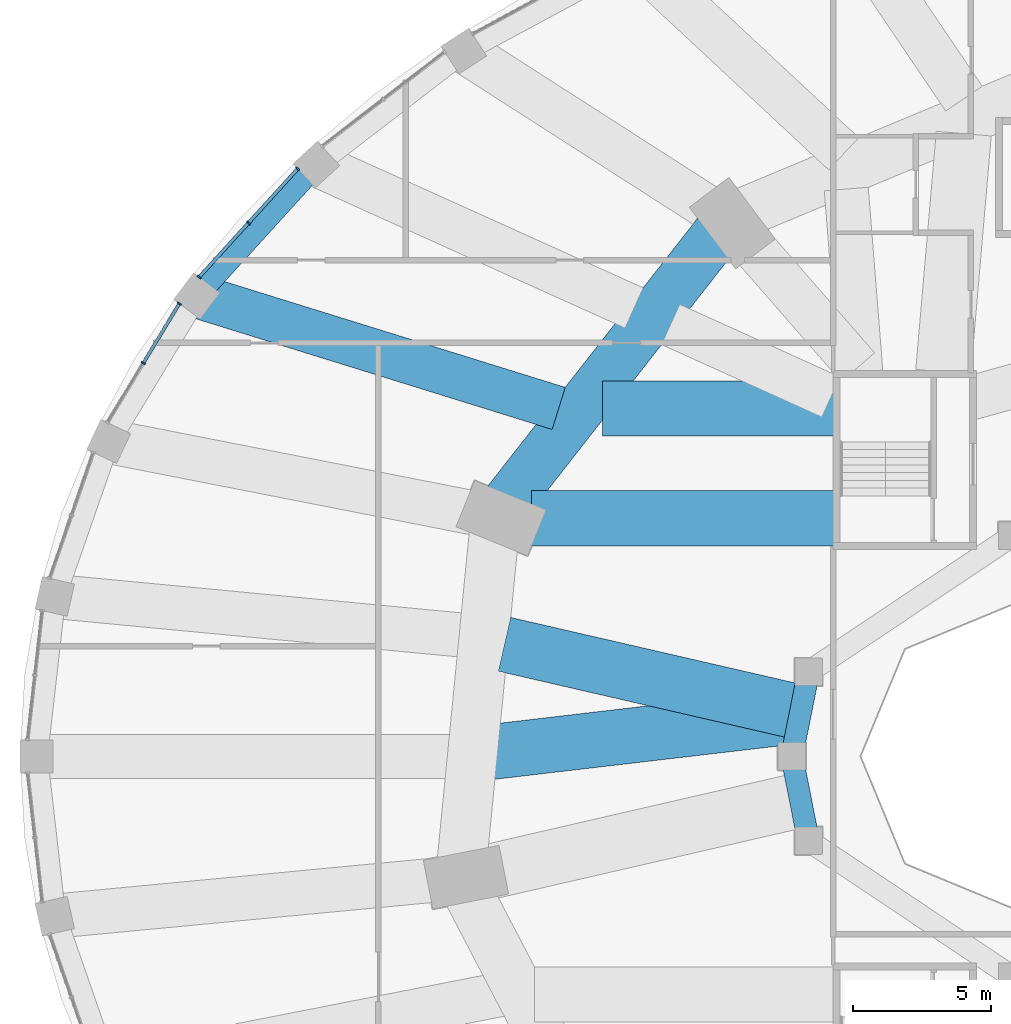
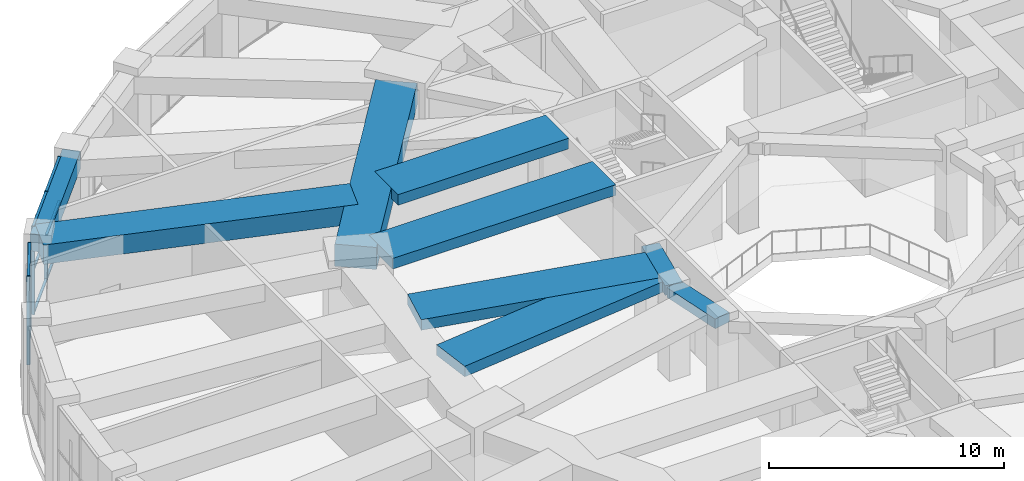
# One storey, part 9 of 32: 14 members, 9 beams, 2 elements without a shape of their own.
"""IFC4 building model written with IfcOpenShell, lengths in metres."""

from ifc_helpers import new_model, si_unit, direction, frame, origin, origin_2d, place, context, subcontext, project, spatial, rectangle, extrude, material, material_profile, profile_set, type_object, element, aggregate, save


model = new_model("IFC4")

# Units and contexts
model_context = context("Model", 3, precision=1e-05, world=origin(), true_north=direction((0.0, 1.0)))
body_context = subcontext(model_context, "Body", "Model", "MODEL_VIEW")
ifc_project = project(units=[si_unit("LENGTHUNIT", "METRE"), si_unit("AREAUNIT", "SQUARE_METRE"), si_unit("VOLUMEUNIT", "CUBIC_METRE"), si_unit("PLANEANGLEUNIT", "RADIAN"), si_unit("MASSUNIT", "GRAM", prefix="KILO")], contexts=[model_context])

# Site, building, storey
site_placement = place(None, origin())
site = spatial("IfcSite", under=ifc_project, at=site_placement, CompositionType="ELEMENT")
building_placement = place(site_placement, origin())
building = spatial("IfcBuilding", under=site, at=building_placement, Name="Taillehof Tower", CompositionType="ELEMENT")
storey_placement = place(building_placement, frame((0.0, 0.0, 7.5)))
storey = spatial("IfcBuildingStorey", under=building, at=storey_placement, Name="L01", CompositionType="ELEMENT", Elevation=7.5)

# Beams
ifc_material_1 = material(Name="Concrete C50/60", Category="concrete")
ifc_material_profile_1 = material_profile(ifc_material_1, rectangle(XDim=0.800048828125, YDim=0.5, at=origin_2d()), Name="RC 800x500")
ifc_profile_set_1 = profile_set([ifc_material_profile_1], Name="Concrete C50/60")
beam_type_1 = type_object("IfcBeamType", Name="Atrium ring beam C50/60 800x500", PredefinedType="BEAM", material=ifc_profile_set_1)
for number, where, z_axis, x_axis, name in (
    (1, (-15.39111328125, 3.0615234375, 4.340087890625), (-0.195063155143, -0.980790683839, 0.0), (0.980790683839, -0.195063155143, 0.0), "Atrium ring beam AB04"),
    (2, (-16.0, 0.0, 4.340087890625), (0.195063155143, -0.980790683839, 0.0), (0.980790683839, 0.195063155143, 0.0), "Atrium ring beam AB05"),
):
    element("IfcBeam", number, at=place(storey_placement, frame(where, z_axis=z_axis, x_axis=x_axis)), inside=storey, type_object=beam_type_1, Name=name, PredefinedType="BEAM", context=body_context, shape_type="SweptSolid", body=[
        extrude(rectangle(XDim=0.800048828125, YDim=0.5, at=origin_2d()), origin(), (0.0, 0.0, 1.0), 3.12158203125),
    ])
ifc_material_2 = material(Name="Concrete C50/60", Category="concrete")
ifc_material_profile_2 = material_profile(ifc_material_2, rectangle(XDim=0.800048828125, YDim=0.89990234375, at=origin_2d()), Name="RC 800x900")
ifc_profile_set_2 = profile_set([ifc_material_profile_2], Name="Concrete C50/60")
beam_type_2 = type_object("IfcBeamType", Name="Podium edge beam C50/60 800x900", PredefinedType="BEAM", material=ifc_profile_set_2)
beam_1_placement = place(storey_placement, frame((-33.246337890625, 21.468994140625, 4.139892578125), z_axis=(-0.67297994181, -0.739660731634, 0.0), x_axis=(0.739660731634, -0.67297994181, 0.0)))
element("IfcBeam", 3, at=beam_1_placement, inside=storey, type_object=beam_type_2, Name="Podium edge beam PB15", PredefinedType="BEAM", context=body_context, shape_type="SweptSolid", body=[
    extrude(rectangle(XDim=0.800048828125, YDim=0.89990234375, at=origin_2d()), origin(), (0.0, 0.0, 1.0), 6.447509765625),
])
ifc_material_3 = material(Name="Concrete C50/60", Category="concrete")
ifc_material_profile_3 = material_profile(ifc_material_3, rectangle(XDim=1.60009765625, YDim=1.0, at=origin_2d()), Name="RC 1600x1000")
ifc_profile_set_3 = profile_set([ifc_material_profile_3], Name="Concrete C50/60")
beam_type_3 = type_object("IfcBeamType", Name="Podium radial beam C50/60 1600x1000", PredefinedType="BEAM", material=ifc_profile_set_3)
beam_2_placement = place(storey_placement, frame((-37.58544921875, 16.699951171875, 4.090087890625), z_axis=(0.954998937437, -0.296609220179, 0.0), x_axis=(0.296609220179, 0.954998937437, 0.0)))
element("IfcBeam", 4, at=beam_2_placement, inside=storey, type_object=beam_type_3, Name="Podium radial beam PR16", PredefinedType="BEAM", context=body_context, shape_type="SweptSolid", body=[
    extrude(rectangle(XDim=1.60009765625, YDim=1.0, at=origin_2d()), origin(), (0.0, 0.0, 1.0), 13.748291015625),
])

# Curtain wall, members
ifc_material_4 = material(Name="Aluminium curtain wall with Clear low-emissivity double glazing", Category="aluminium")
curtain_wall_type = type_object("IfcCurtainWallType", Name="Podium window wall curtain wall", PredefinedType="USERDEFINED", material=ifc_material_4)
curtain_wall_1_placement = place(storey_placement, origin())
curtain_wall_1 = element("IfcCurtainWall", 5, at=curtain_wall_1_placement, inside=storey, type_object=curtain_wall_type, Name="Podium window wall L01 bay 15", ObjectType="WINDOW WALL", PredefinedType="USERDEFINED")
ifc_material_5 = material(Name="Aluminium mullion", Category="aluminium")
ifc_material_profile_4 = material_profile(ifc_material_5, rectangle(XDim=0.159912109375, YDim=0.06005859375, at=origin_2d()), Name="AL 60x160")
ifc_profile_set_4 = profile_set([ifc_material_profile_4], Name="Aluminium mullion")
member_type_1 = type_object("IfcMemberType", Name="Podium window wall mullion 60x160", PredefinedType="MULLION", material=ifc_profile_set_4)
member_1_placement = place(storey_placement, frame((-33.922119140625, 21.317138671875, 0.0), z_axis=(0.0, 0.0, 1.0), x_axis=(0.739707112587, -0.672928961769, 0.0)))
member_1 = element("IfcMember", 6, at=member_1_placement, type_object=member_type_1, Name="CT215 mullion 1", PredefinedType="MULLION", context=body_context, shape_type="SweptSolid", body=[
    extrude(rectangle(XDim=0.159912109375, YDim=0.06005859375, at=origin_2d()), origin(), (0.0, 0.0, 1.0), 4.590087890625),
])
member_2_placement = place(storey_placement, frame((-35.7109375, 19.35107421875, 0.0), z_axis=(0.0, 0.0, 1.0), x_axis=(0.739707112587, -0.672928961769, 0.0)))
member_2 = element("IfcMember", 7, at=member_2_placement, type_object=member_type_1, Name="CT215 mullion 2", PredefinedType="MULLION", context=body_context, shape_type="SweptSolid", body=[
    extrude(rectangle(XDim=0.159912109375, YDim=0.06005859375, at=origin_2d()), origin(), (0.0, 0.0, 1.0), 4.590087890625),
])
member_3_placement = place(storey_placement, frame((-37.49951171875, 17.384765625, 0.0), z_axis=(0.0, 0.0, 1.0), x_axis=(0.739707112587, -0.672928961769, 0.0)))
member_3 = element("IfcMember", 8, at=member_3_placement, type_object=member_type_1, Name="CT215 mullion 3", PredefinedType="MULLION", context=body_context, shape_type="SweptSolid", body=[
    extrude(rectangle(XDim=0.159912109375, YDim=0.06005859375, at=origin_2d()), origin(), (0.0, 0.0, 1.0), 4.590087890625),
])

curtain_wall_2_placement = place(storey_placement, origin())
curtain_wall_2 = element("IfcCurtainWall", 9, at=curtain_wall_2_placement, inside=storey, type_object=curtain_wall_type, Name="Podium window wall L01 bay 16", ObjectType="WINDOW WALL", PredefinedType="USERDEFINED")
member_4_placement = place(storey_placement, frame((-38.217529296875, 16.42333984375, 0.0), z_axis=(0.0, 0.0, 1.0), x_axis=(0.855288863309, -0.518151483931, 0.0)))
member_4 = element("IfcMember", 10, at=member_4_placement, type_object=member_type_1, Name="CT216 mullion 1", PredefinedType="MULLION", context=body_context, shape_type="SweptSolid", body=[
    extrude(rectangle(XDim=0.159912109375, YDim=0.06005859375, at=origin_2d()), origin(), (0.0, 0.0, 1.0), 4.590087890625),
])
member_5_placement = place(storey_placement, frame((-39.524169921875, 14.266357421875, 0.0), z_axis=(0.0, 0.0, 1.0), x_axis=(0.855288863309, -0.518151483931, 0.0)))
member_5 = element("IfcMember", 11, at=member_5_placement, type_object=member_type_1, Name="CT216 mullion 2", PredefinedType="MULLION", context=body_context, shape_type="SweptSolid", body=[
    extrude(rectangle(XDim=0.159912109375, YDim=0.06005859375, at=origin_2d()), origin(), (0.0, 0.0, 1.0), 4.590087890625),
])

# Member
ifc_material_6 = material(Name="Aluminium transom", Category="aluminium")
ifc_material_profile_5 = material_profile(ifc_material_6, rectangle(XDim=0.1201171875, YDim=0.06005859375, at=origin_2d()), Name="AL 120x60")
ifc_profile_set_5 = profile_set([ifc_material_profile_5], Name="Aluminium transom")
member_type_2 = type_object("IfcMemberType", Name="Podium window wall transom 120x60", PredefinedType="USERDEFINED", material=ifc_profile_set_5)
member_6_placement = place(storey_placement, frame((-33.9423828125, 21.294921875, 0.030029296875), z_axis=(-0.672958072108, -0.73968062918, 0.0), x_axis=(0.73968062918, -0.672958072108, 0.0)))
member_6 = element("IfcMember", 12, at=member_6_placement, type_object=member_type_2, Name="CT215 transom 1.1", ObjectType="TRANSOM", PredefinedType="USERDEFINED", context=body_context, shape_type="SweptSolid", body=[
    extrude(rectangle(XDim=0.1201171875, YDim=0.06005859375, at=origin_2d()), origin(), (0.0, 0.0, 1.0), 2.597900390625),
])

member_7_placement = place(storey_placement, frame((-33.9423828125, 21.294921875, 2.294921875), z_axis=(-0.672958072108, -0.73968062918, 0.0), x_axis=(0.73968062918, -0.672958072108, 0.0)))
member_7 = element("IfcMember", 13, at=member_7_placement, type_object=member_type_2, Name="CT215 transom 1.2", ObjectType="TRANSOM", PredefinedType="USERDEFINED", context=body_context, shape_type="SweptSolid", body=[
    extrude(rectangle(XDim=0.1201171875, YDim=0.06005859375, at=origin_2d()), origin(), (0.0, 0.0, 1.0), 2.597900390625),
])

member_8_placement = place(storey_placement, frame((-33.9423828125, 21.294921875, 4.56005859375), z_axis=(-0.672958072108, -0.73968062918, 0.0), x_axis=(0.73968062918, -0.672958072108, 0.0)))
member_8 = element("IfcMember", 14, at=member_8_placement, type_object=member_type_2, Name="CT215 transom 1.3", ObjectType="TRANSOM", PredefinedType="USERDEFINED", context=body_context, shape_type="SweptSolid", body=[
    extrude(rectangle(XDim=0.1201171875, YDim=0.06005859375, at=origin_2d()), origin(), (0.0, 0.0, 1.0), 2.597900390625),
])

member_9_placement = place(storey_placement, frame((-35.73095703125, 19.328857421875, 0.030029296875), z_axis=(-0.672911295482, -0.739723183639, 0.0), x_axis=(0.739723183639, -0.672911295482, 0.0)))
member_9 = element("IfcMember", 15, at=member_9_placement, type_object=member_type_2, Name="CT215 transom 2.1", ObjectType="TRANSOM", PredefinedType="USERDEFINED", context=body_context, shape_type="SweptSolid", body=[
    extrude(rectangle(XDim=0.1201171875, YDim=0.06005859375, at=origin_2d()), origin(), (0.0, 0.0, 1.0), 2.59814453125),
])

member_10_placement = place(storey_placement, frame((-35.73095703125, 19.328857421875, 2.294921875), z_axis=(-0.672911295482, -0.739723183639, 0.0), x_axis=(0.739723183639, -0.672911295482, 0.0)))
member_10 = element("IfcMember", 16, at=member_10_placement, type_object=member_type_2, Name="CT215 transom 2.2", ObjectType="TRANSOM", PredefinedType="USERDEFINED", context=body_context, shape_type="SweptSolid", body=[
    extrude(rectangle(XDim=0.1201171875, YDim=0.06005859375, at=origin_2d()), origin(), (0.0, 0.0, 1.0), 2.59814453125),
])

member_11_placement = place(storey_placement, frame((-35.73095703125, 19.328857421875, 4.56005859375), z_axis=(-0.672911295482, -0.739723183639, 0.0), x_axis=(0.739723183639, -0.672911295482, 0.0)))
member_11 = element("IfcMember", 17, at=member_11_placement, type_object=member_type_2, Name="CT215 transom 2.3", ObjectType="TRANSOM", PredefinedType="USERDEFINED", context=body_context, shape_type="SweptSolid", body=[
    extrude(rectangle(XDim=0.1201171875, YDim=0.06005859375, at=origin_2d()), origin(), (0.0, 0.0, 1.0), 2.59814453125),
])

aggregate(curtain_wall_1, [member_1, member_2, member_3, member_6, member_7, member_8, member_9, member_10, member_11])

member_12_placement = place(storey_placement, frame((-38.233154296875, 16.397705078125, 0.030029296875), z_axis=(-0.518136875535, -0.855297713203, 0.0), x_axis=(0.855297713203, -0.518136875535, 0.0)))
member_12 = element("IfcMember", 18, at=member_12_placement, type_object=member_type_2, Name="CT216 transom 1.1", ObjectType="TRANSOM", PredefinedType="USERDEFINED", context=body_context, shape_type="SweptSolid", body=[
    extrude(rectangle(XDim=0.1201171875, YDim=0.06005859375, at=origin_2d()), origin(), (0.0, 0.0, 1.0), 2.4619140625),
])

member_13_placement = place(storey_placement, frame((-38.233154296875, 16.397705078125, 2.294921875), z_axis=(-0.518136875535, -0.855297713203, 0.0), x_axis=(0.855297713203, -0.518136875535, 0.0)))
member_13 = element("IfcMember", 19, at=member_13_placement, type_object=member_type_2, Name="CT216 transom 1.2", ObjectType="TRANSOM", PredefinedType="USERDEFINED", context=body_context, shape_type="SweptSolid", body=[
    extrude(rectangle(XDim=0.1201171875, YDim=0.06005859375, at=origin_2d()), origin(), (0.0, 0.0, 1.0), 2.4619140625),
])

member_14_placement = place(storey_placement, frame((-38.233154296875, 16.397705078125, 4.56005859375), z_axis=(-0.518136875535, -0.855297713203, 0.0), x_axis=(0.855297713203, -0.518136875535, 0.0)))
member_14 = element("IfcMember", 20, at=member_14_placement, type_object=member_type_2, Name="CT216 transom 1.3", ObjectType="TRANSOM", PredefinedType="USERDEFINED", context=body_context, shape_type="SweptSolid", body=[
    extrude(rectangle(XDim=0.1201171875, YDim=0.06005859375, at=origin_2d()), origin(), (0.0, 0.0, 1.0), 2.4619140625),
])

aggregate(curtain_wall_2, [member_4, member_5, member_12, member_13, member_14])

# Beams
ifc_material_7 = material(Name="Concrete C50/60", Category="concrete")
ifc_material_profile_6 = material_profile(ifc_material_7, rectangle(XDim=2.0, YDim=0.550048828125, at=origin_2d()), Name="RC 2000x550")
ifc_profile_set_6 = profile_set([ifc_material_profile_6], Name="Concrete C50/60")
beam_type_4 = type_object("IfcBeamType", Name="Radial band beam C50/60 2000x550", PredefinedType="BEAM", material=ifc_profile_set_6)
beam_3_placement = place(storey_placement, frame((-22.861328125, 12.625, 4.31494140625), z_axis=(1.0, 0.0, 0.0), x_axis=(0.0, 1.0, 0.0)))
element("IfcBeam", 21, at=beam_3_placement, inside=storey, type_object=beam_type_4, Name="Radial band beam RB16", PredefinedType="BEAM", context=body_context, shape_type="SweptSolid", body=[
    extrude(rectangle(XDim=2.0, YDim=0.550048828125, at=origin_2d()), origin(), (0.0, 0.0, 1.0), 8.411376953125),
])
beam_4_placement = place(storey_placement, frame((-25.444091796875, 8.635986328125, 4.31494140625), z_axis=(1.0, 0.0, 0.0), x_axis=(0.0, 1.0, 0.0)))
element("IfcBeam", 22, at=beam_4_placement, inside=storey, type_object=beam_type_4, Name="Radial band beam RB17", PredefinedType="BEAM", context=body_context, shape_type="SweptSolid", body=[
    extrude(rectangle(XDim=2.0, YDim=0.550048828125, at=origin_2d()), origin(), (0.0, 0.0, 1.0), 10.994140625),
])
beam_5_placement = place(storey_placement, frame((-26.423828125, 4.06298828125, 4.31494140625), z_axis=(0.97450754924, -0.224354711282, 0.0), x_axis=(0.224354711282, 0.97450754924, 0.0)))
element("IfcBeam", 23, at=beam_5_placement, inside=storey, type_object=beam_type_4, Name="Radial band beam RB18", PredefinedType="BEAM", context=body_context, shape_type="SweptSolid", body=[
    extrude(rectangle(XDim=2.0, YDim=0.550048828125, at=origin_2d()), origin(), (0.0, 0.0, 1.0), 11.021240234375),
])
beam_6_placement = place(storey_placement, frame((-26.890625, 0.159423828125, 4.31494140625), z_axis=(0.993190949088, 0.116497805345, 0.0), x_axis=(-0.116497805345, 0.993190949088, 0.0)))
element("IfcBeam", 24, at=beam_6_placement, inside=storey, type_object=beam_type_4, Name="Radial band beam RB19", PredefinedType="BEAM", context=body_context, shape_type="SweptSolid", body=[
    extrude(rectangle(XDim=2.0, YDim=0.550048828125, at=origin_2d()), origin(), (0.0, 0.0, 1.0), 11.260009765625),
])
ifc_material_8 = material(Name="Concrete C50/60", Category="concrete")
ifc_material_profile_7 = material_profile(ifc_material_8, rectangle(XDim=1.800048828125, YDim=1.14990234375, at=origin_2d()), Name="RC 1800x1150")
ifc_profile_set_7 = profile_set([ifc_material_profile_7], Name="Concrete C50/60")
beam_type_5 = type_object("IfcBeamType", Name="Ring floor beam C50/60 1800x1150", PredefinedType="BEAM", material=ifc_profile_set_7)
beam_7_placement = place(storey_placement, frame((-18.706787109375, 18.96728515625, 4.014892578125), z_axis=(-0.616695661832, -0.787201664555, 0.0), x_axis=(0.787201664555, -0.616695661832, 0.0)))
element("IfcBeam", 25, at=beam_7_placement, inside=storey, type_object=beam_type_5, Name="Ring floor beam RG05", PredefinedType="BEAM", context=body_context, shape_type="SweptSolid", body=[
    extrude(rectangle(XDim=1.800048828125, YDim=1.14990234375, at=origin_2d()), origin(), (0.0, 0.0, 1.0), 12.351318359375),
])

save(model, "model.ifc")
